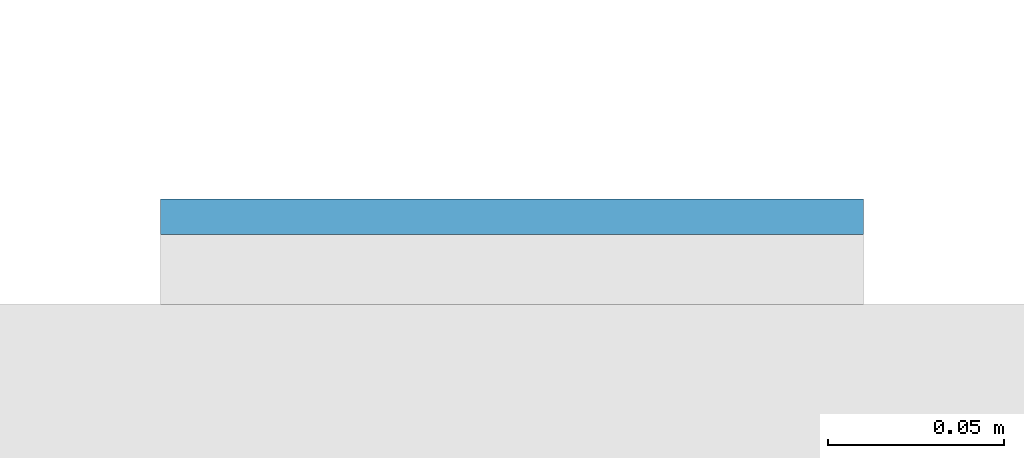
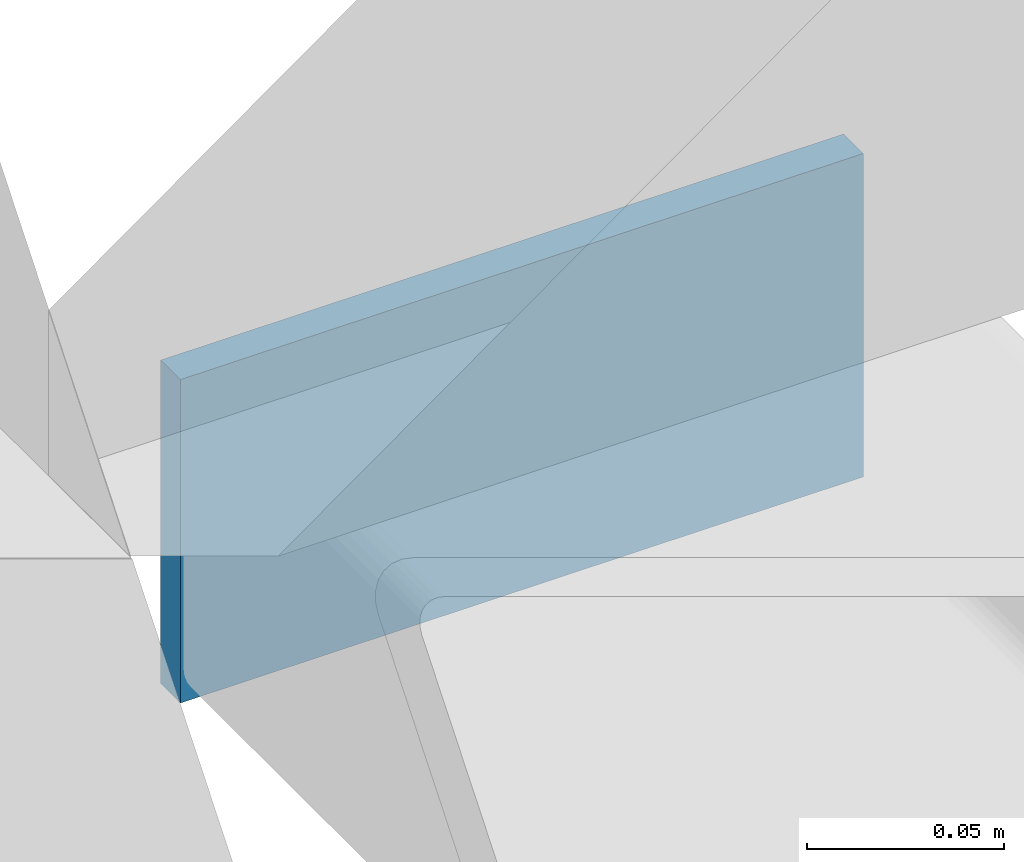
# One storey, part 6 of 12: 1 plate.
"""IFC4 building model written with IfcOpenShell, lengths in metres."""

from ifc_helpers import new_model, si_unit, direction, frame, origin, origin_2d, place, context, subcontext, project, spatial, rectangle, extrude, material, layer, layer_set, type_object, element, save


model = new_model("IFC4")

# Units and contexts
model_context = context("Model", 3, precision=1e-05, world=origin(), true_north=direction((0.0, 1.0)))
body_context = subcontext(model_context, "Body", "Model", "MODEL_VIEW")
ifc_project = project(units=[si_unit("LENGTHUNIT", "METRE"), si_unit("AREAUNIT", "SQUARE_METRE"), si_unit("VOLUMEUNIT", "CUBIC_METRE"), si_unit("PLANEANGLEUNIT", "RADIAN"), si_unit("MASSUNIT", "GRAM", prefix="KILO")], contexts=[model_context])

# Site, building, storey
site_placement = place(None, origin())
site = spatial("IfcSite", under=ifc_project, at=site_placement, CompositionType="ELEMENT")
building_placement = place(site_placement, origin())
building = spatial("IfcBuilding", under=site, at=building_placement, Name="Cleftline Residences", CompositionType="ELEMENT")
storey_placement = place(building_placement, frame((0.0, 0.0, 255.60009765625)))
storey = spatial("IfcBuildingStorey", under=building, at=storey_placement, Name="L67", CompositionType="ELEMENT", Elevation=255.60009765625)

# Plate
ifc_material = material(Name="Steel S355, hot-dip galvanised", Category="steel")
ifc_layer = layer(ifc_material, 0.010009765625)
ifc_layer_set = layer_set([ifc_layer], Name="BAGUETTE CARRIER END PLATE 200X100X10")
plate_type = type_object("IfcPlateType", Name="BAGUETTE CARRIER END PLATE 200X100X10", PredefinedType="USERDEFINED", material=ifc_layer_set)
plate_placement = place(storey_placement, frame((66.85009765625, 44.304931640625, -0.10009765625), z_axis=(0.0, 0.0, 1.0), x_axis=(1.0, 0.0, 0.0)))
element("IfcPlate", 1, at=plate_placement, inside=storey, type_object=plate_type, Name="Baguette carrier end plate", ObjectType="BAGUETTE CARRIER END PLATE", PredefinedType="USERDEFINED", context=body_context, shape_type="SweptSolid", body=[
    extrude(rectangle(XDim=0.199951171875, YDim=0.010009765625, at=origin_2d()), origin(), (0.0, 0.0, 1.0), 0.10009765625),
])

save(model, "model.ifc")
